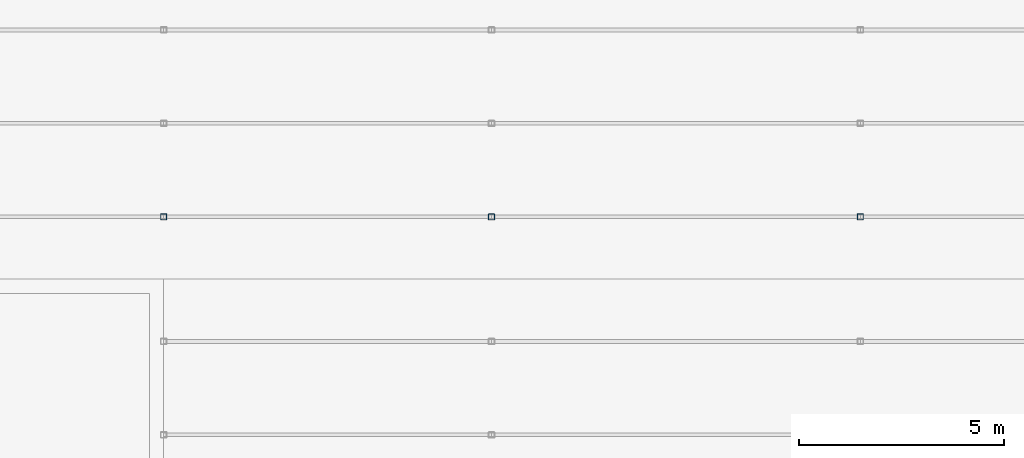
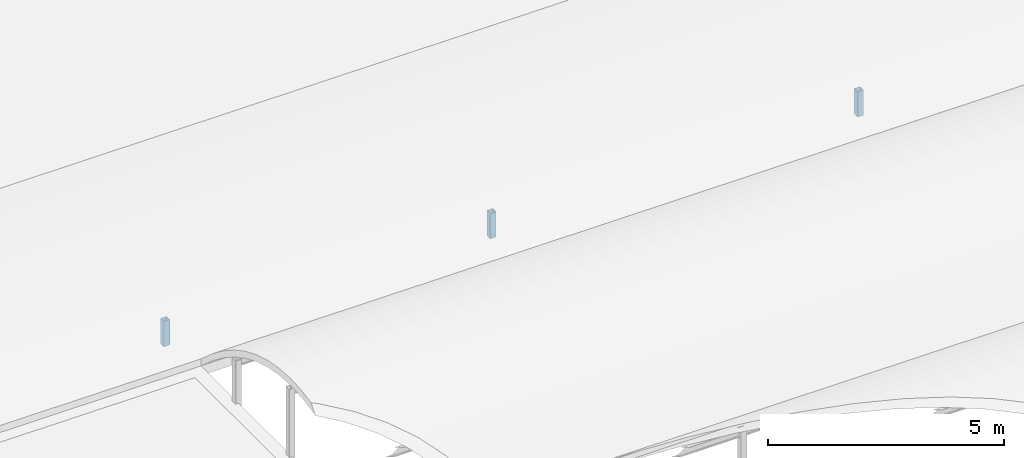
# One storey, part 32 of 46: 3 members.
"""IFC4 building model written with IfcOpenShell, lengths in metres."""

import ifcopenshell
import ifcopenshell.guid

model = None  # the IFC model being written
_history = None  # IfcOwnerHistory: only IFC2X3 demands one
_inside = {}  # id of a spatial element -> (the spatial element, [elements in it])
_under = {}  # id of a project, library or spatial element -> (it, [spatial elements below it])
_declared = {}  # id of a project -> (the project, [libraries it declares])
_typed = {}  # id of a type object -> (the type object, [elements of that type])
_made_of = {}  # id of a material, layer set ... -> (it, [elements and type objects made of it])


def new_model(schema):
    """Start an empty IFC model of exactly this schema.

    Asked for "IFC4X3", IfcOpenShell would pick the latest addendum, in which some entities
    have other attributes; the version numbers below select the first issue.
    IFC2X3 requires an IfcOwnerHistory on every rooted entity: one is made here for all.
    """
    global model, _history
    if schema == "IFC4X3":
        model = ifcopenshell.file(schema_version=(4, 3, 0, 0))
    else:
        model = ifcopenshell.file(schema=schema)
    _inside.clear()
    _under.clear()
    _declared.clear()
    _typed.clear()
    _made_of.clear()
    _history = None
    if model.schema == "IFC2X3":
        org = make("IfcOrganization", Name="unknown")
        user = make(
            "IfcPersonAndOrganization",
            ThePerson=make("IfcPerson", FamilyName="unknown"),
            TheOrganization=org,
        )
        app = make(
            "IfcApplication",
            ApplicationDeveloper=org,
            Version="unknown",
            ApplicationFullName="unknown",
            ApplicationIdentifier="unknown",
        )
        _history = make(
            "IfcOwnerHistory",
            OwningUser=user,
            OwningApplication=app,
            ChangeAction="ADDED",
            CreationDate=0,
        )
    return model


def make(cls, **values):
    """One entity of the class cls with the attributes given. An attribute that is None is left unset."""
    return model.create_entity(
        cls, **{name: value for name, value in values.items() if value is not None}
    )


def rooted(cls, **values):
    """An entity with a GlobalId (a new one), such as an element, a storey or a relation."""
    return make(cls, GlobalId=ifcopenshell.guid.new(), OwnerHistory=_history, **values)


def si_unit(unit_type, name, prefix=None):
    """IfcSIUnit, for example si_unit("LENGTHUNIT", "METRE", prefix="MILLI")."""
    return make("IfcSIUnit", UnitType=unit_type, Prefix=prefix, Name=name)


def assignment(units):
    """IfcUnitAssignment: the units of a project."""
    return None if units is None else make("IfcUnitAssignment", Units=units)


def point(xyz):
    """IfcCartesianPoint."""
    return None if xyz is None else make("IfcCartesianPoint", Coordinates=xyz)


def direction(xyz):
    """IfcDirection."""
    return None if xyz is None else make("IfcDirection", DirectionRatios=xyz)


def frame(location, z_axis=None, x_axis=None):
    """IfcAxis2Placement3D, a coordinate frame: its origin and axes. An axis left out is left unset."""
    return make(
        "IfcAxis2Placement3D",
        Location=point(location),
        Axis=direction(z_axis),
        RefDirection=direction(x_axis),
    )


def frame_2d(location, x_axis=None):
    """IfcAxis2Placement2D, a coordinate frame in the plane: its origin and x axis."""
    return make(
        "IfcAxis2Placement2D", Location=point(location), RefDirection=direction(x_axis)
    )


def origin():
    """The frame at (0, 0, 0) with its axes left unset."""
    return frame((0.0, 0.0, 0.0))


def origin_2d():
    """The frame at (0, 0) in the plane with its x axis left unset."""
    return frame_2d((0.0, 0.0))


def place(relative_to, where):
    """IfcLocalPlacement: puts the frame where relative to a parent placement (None: the world)."""
    return make(
        "IfcLocalPlacement", PlacementRelTo=relative_to, RelativePlacement=where
    )


def context(
    kind, dimensions, precision=None, world=None, true_north=None, identifier=None
):
    """IfcGeometricRepresentationContext, for example the 3D "Model" context."""
    return make(
        "IfcGeometricRepresentationContext",
        ContextIdentifier=identifier,
        ContextType=kind,
        CoordinateSpaceDimension=dimensions,
        Precision=precision,
        WorldCoordinateSystem=world,
        TrueNorth=true_north,
    )


def subcontext(parent, identifier, kind, view, scale=None):
    """IfcGeometricRepresentationSubContext, for example "Body" below "Model"."""
    return make(
        "IfcGeometricRepresentationSubContext",
        ContextIdentifier=identifier,
        ContextType=kind,
        ParentContext=parent,
        TargetScale=scale,
        TargetView=view,
    )


def project(units=None, contexts=None):
    """IfcProject with its units and contexts."""
    return rooted(
        "IfcProject",
        Name="project",
        RepresentationContexts=contexts,
        UnitsInContext=assignment(units),
    )


def spatial(cls, under=None, at=None, **own):
    """A site, building, storey or space (cls), placed at a placement, below another one or the project."""
    s = rooted(cls, ObjectPlacement=at, **own)
    if under is not None:
        _under.setdefault(under.id(), (under, []))[1].append(s)
    return s


def profile(cls, at=None, kind="AREA", **sizes):
    """A parametric profile (cls). Its sizes go by their IFC names, for example OverallWidth=200.0."""
    return make(cls, ProfileType=kind, Position=at, **sizes)


def hollow_rectangle(**sizes):
    """IfcRectangleHollowProfileDef."""
    return profile("IfcRectangleHollowProfileDef", **sizes)


def extrude(swept, where, along, depth):
    """IfcExtrudedAreaSolid: the profile swept, set in the frame where, extruded along a direction by depth."""
    return make(
        "IfcExtrudedAreaSolid",
        SweptArea=swept,
        Position=where,
        ExtrudedDirection=direction(along),
        Depth=depth,
    )


def shape(context_of_items, identifier, shape_type, items):
    """IfcShapeRepresentation: the items that make up one representation, for example the "Body"."""
    return make(
        "IfcShapeRepresentation",
        ContextOfItems=context_of_items,
        RepresentationIdentifier=identifier,
        RepresentationType=shape_type,
        Items=items,
    )


def material(Name=None, Category=None):
    """IfcMaterial."""
    return make("IfcMaterial", Name=Name, Category=Category)


def material_profile(
    of_material, cross_section, Name=None, Category=None, Priority=None
):
    """IfcMaterialProfile: a cross section and its material."""
    return make(
        "IfcMaterialProfile",
        Name=Name,
        Material=of_material,
        Profile=cross_section,
        Priority=Priority,
        Category=Category,
    )


def profile_set(profiles, Name=None, composite=None):
    """IfcMaterialProfileSet."""
    return make(
        "IfcMaterialProfileSet",
        Name=Name,
        MaterialProfiles=profiles,
        CompositeProfile=composite,
    )


def made_of(thing, what):
    """Note that an element or type object is made of a material, layer set ...; save() writes the relation."""
    if what is not None:
        _made_of.setdefault(what.id(), (what, []))[1].append(thing)
    return thing


def type_object(cls, material=None, **own):
    """A type object (cls), such as IfcWallType, which elements share."""
    return made_of(rooted(cls, **own), material)


def element(
    cls,
    number,
    at=None,
    inside=None,
    cuts=None,
    type_object=None,
    material=None,
    context=None,
    identifier="Body",
    shape_type=None,
    held_by="IfcProductDefinitionShape",
    body=None,
    shapes=None,
    **own,
):
    """One element of the class cls, such as IfcWall. Its Tag is "e" and its number.

    at: its placement. inside: the storey or other place that contains it. cuts: it is an
    opening in that element (IfcRelVoidsElement). A single representation is given by context,
    identifier, shape_type and body (its items); several are given by shapes. held_by: the class
    of the entity that holds the representations. save() writes the other relations.
    """
    e = rooted(cls, Tag="e%d" % number, ObjectPlacement=at, **own)
    if body is not None:
        shapes = [shape(context, identifier, shape_type, body)]
    if shapes is not None:
        e.Representation = make(held_by, Representations=shapes)
    if inside is not None:
        _inside.setdefault(inside.id(), (inside, []))[1].append(e)
    if cuts is not None:
        rooted(
            "IfcRelVoidsElement", RelatingBuildingElement=cuts, RelatedOpeningElement=e
        )
    if type_object is not None:
        _typed.setdefault(type_object.id(), (type_object, []))[1].append(e)
    return made_of(e, material)


def aggregate(whole, parts):
    """IfcRelAggregates: a whole, such as a stair, and the parts it consists of."""
    return rooted("IfcRelAggregates", RelatingObject=whole, RelatedObjects=parts)


def save(model, path):
    """Write the relations noted so far, then the file.

    IfcRelAggregates (storeys below a building ...), IfcRelContainedInSpatialStructure (elements
    in a storey), IfcRelDefinesByType, IfcRelAssociatesMaterial and IfcRelDeclares: one each for
    every whole, place, type object, material and project.
    """
    for whole, parts in _under.values():
        aggregate(whole, parts)
    for where, things in _inside.values():
        rooted(
            "IfcRelContainedInSpatialStructure",
            RelatedElements=things,
            RelatingStructure=where,
        )
    for kind, things in _typed.values():
        rooted("IfcRelDefinesByType", RelatedObjects=things, RelatingType=kind)
    for what, things in _made_of.values():
        rooted("IfcRelAssociatesMaterial", RelatedObjects=things, RelatingMaterial=what)
    for by, libraries in _declared.values():
        rooted("IfcRelDeclares", RelatingContext=by, RelatedDefinitions=libraries)
    model.write(path)


model = new_model("IFC4")

# Units and contexts
model_context = context("Model", 3, precision=1e-05, world=origin(), true_north=direction((0.0, 1.0)))
body_context = subcontext(model_context, "Body", "Model", "MODEL_VIEW")
ifc_project = project(units=[si_unit("LENGTHUNIT", "METRE"), si_unit("AREAUNIT", "SQUARE_METRE"), si_unit("VOLUMEUNIT", "CUBIC_METRE"), si_unit("PLANEANGLEUNIT", "RADIAN"), si_unit("MASSUNIT", "GRAM", prefix="KILO")], contexts=[model_context])

# Site, building, storey
site_placement = place(None, origin())
site = spatial("IfcSite", under=ifc_project, at=site_placement, CompositionType="ELEMENT")
building_placement = place(site_placement, origin())
building = spatial("IfcBuilding", under=site, at=building_placement, Name="Shalkamar Park Central Library", CompositionType="ELEMENT")
storey_placement = place(building_placement, frame((0.0, 0.0, 20.39990234375)))
storey = spatial("IfcBuildingStorey", under=building, at=storey_placement, Name="L05", CompositionType="ELEMENT", Elevation=20.39990234375)

# Members
ifc_material = material(Name="Steel S355", Category="steel")
ifc_material_profile = material_profile(ifc_material, hollow_rectangle(XDim=0.14990234375, YDim=0.14990234375, WallThickness=0.008056640625, InnerFilletRadius=0.008056640625, OuterFilletRadius=0.011962890625, at=origin_2d()), Name="SHS 150x150x8")
ifc_profile_set = profile_set([ifc_material_profile], Name="Steel S355")
member_type = type_object("IfcMemberType", Name="Diagonal Brace SHS150", PredefinedType="BRACE", material=ifc_profile_set)
for number, where, z_axis, x_axis, name in (
    (1, (229.0, 294.719970703125, -0.35986328125), (0.0, 0.0, 1.0), (1.0, 0.0, 0.0), "Vault Arch Post BV-L04-N1-15.1"),
    (2, (237.0, 294.719970703125, -0.35986328125), (0.0, 0.0, 1.0), (1.0, 0.0, 0.0), "Vault Arch Post BV-L04-N1-16.1"),
    (3, (246.0, 294.719970703125, -0.35986328125), (0.0, 0.0, 1.0), (1.0, 0.0, 0.0), "Vault Arch Post BV-L04-N1-17.1"),
):
    element("IfcMember", number, at=place(storey_placement, frame(where, z_axis=z_axis, x_axis=x_axis)), inside=storey, type_object=member_type, Name=name, PredefinedType="BRACE", context=body_context, shape_type="SweptSolid", body=[
        extrude(hollow_rectangle(XDim=0.14990234375, YDim=0.14990234375, WallThickness=0.008056640625, InnerFilletRadius=0.008056640625, OuterFilletRadius=0.011962890625, at=origin_2d()), origin(), (0.0, 0.0, 1.0), 0.65283203125),
    ])

save(model, "model.ifc")
